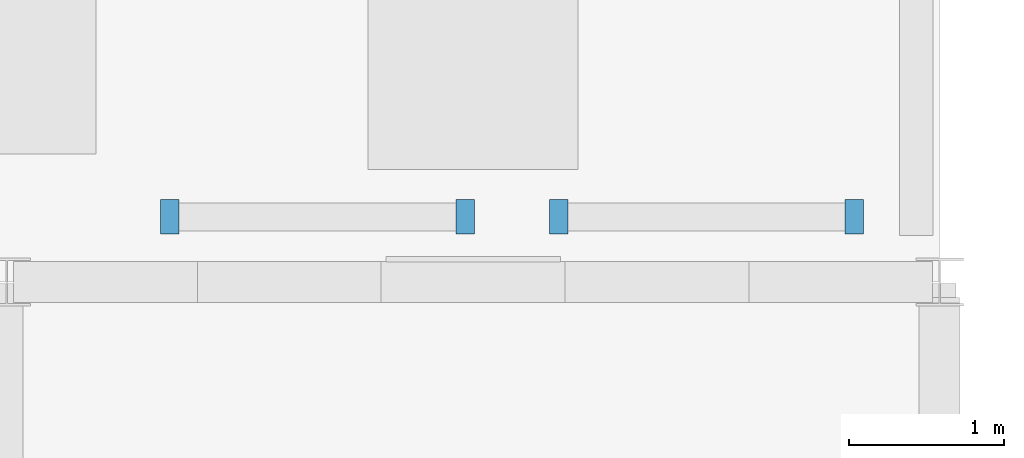
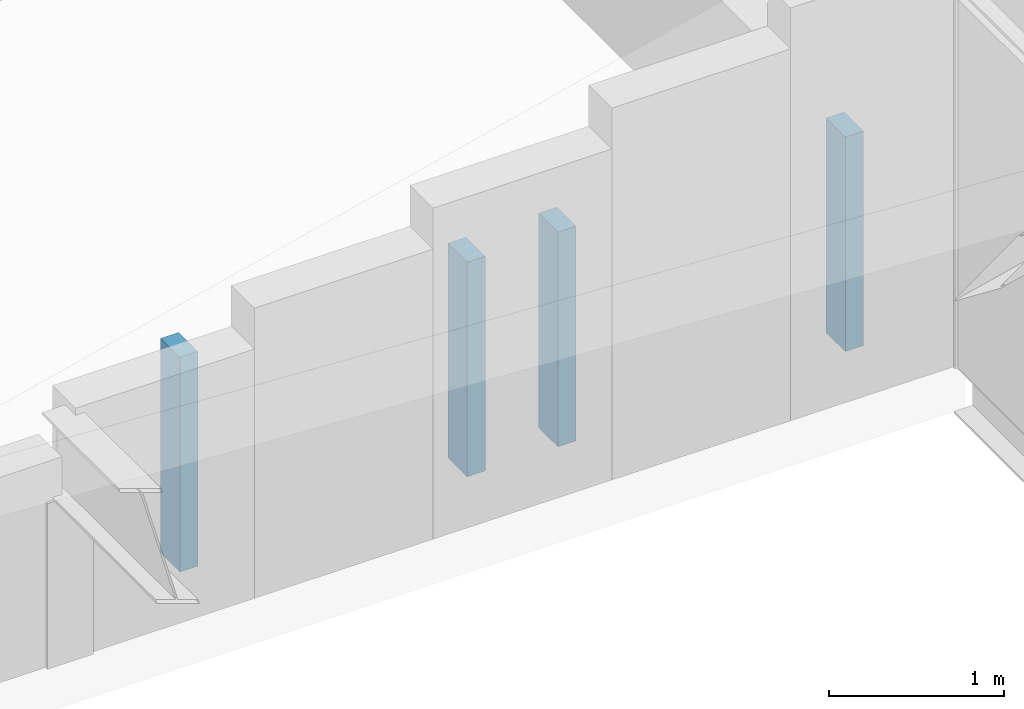
# One storey, part 69 of 74: 4 discrete accessories.
"""IFC4 building model written with IfcOpenShell, lengths in metres."""

from ifc_helpers import new_model, si_unit, direction, frame, origin, origin_2d, place, context, subcontext, project, spatial, rectangle, extrude, material, type_object, element, save


model = new_model("IFC4")

# Units and contexts
model_context = context("Model", 3, precision=1e-05, world=origin(), true_north=direction((0.0, 1.0)))
body_context = subcontext(model_context, "Body", "Model", "MODEL_VIEW")
ifc_project = project(units=[si_unit("LENGTHUNIT", "METRE"), si_unit("AREAUNIT", "SQUARE_METRE"), si_unit("VOLUMEUNIT", "CUBIC_METRE"), si_unit("PLANEANGLEUNIT", "RADIAN"), si_unit("MASSUNIT", "GRAM", prefix="KILO")], contexts=[model_context])

# Site, building, storey
site_placement = place(None, origin())
site = spatial("IfcSite", under=ifc_project, at=site_placement, CompositionType="ELEMENT")
building_placement = place(site_placement, origin())
building = spatial("IfcBuilding", under=site, at=building_placement, Name="Siltcreek Boulevard Central Fire Station", CompositionType="ELEMENT")
storey_placement = place(building_placement, frame((0.0, 0.0, 25.199951171875)))
storey = spatial("IfcBuildingStorey", under=building, at=storey_placement, Name="RF", CompositionType="ELEMENT", Elevation=25.199951171875)

# Discrete accessories
ifc_material = material(Name="Hot-dip galvanized steel facade outrigger bracket", Category="steel")
discrete_accessory_type = type_object("IfcDiscreteAccessoryType", Name="ACC_BRACKET", PredefinedType="BRACKET", material=ifc_material)
for number, where, z_axis, x_axis, name in (
    (1, (151.75, 106.6201171875, -3.599853515625), (0.0, 0.0, 1.0), (1.0, 0.0, 0.0), "Rooftop louvre frame support post V5.1.1"),
    (2, (153.64990234375, 106.6201171875, -3.599853515625), (0.0, 0.0, 1.0), (1.0, 0.0, 0.0), "Rooftop louvre frame support post V5.1.2"),
    (3, (149.25, 106.6201171875, -3.599853515625), (0.0, 0.0, 1.0), (1.0, 0.0, 0.0), "Rooftop louvre frame support post V5.2.1"),
    (4, (151.14990234375, 106.6201171875, -3.599853515625), (0.0, 0.0, 1.0), (1.0, 0.0, 0.0), "Rooftop louvre frame support post V5.2.2"),
):
    element("IfcDiscreteAccessory", number, at=place(storey_placement, frame(where, z_axis=z_axis, x_axis=x_axis)), inside=storey, type_object=discrete_accessory_type, Name=name, PredefinedType="BRACKET", context=body_context, shape_type="SweptSolid", body=[
        extrude(rectangle(XDim=0.1201171875, YDim=0.219970703125, at=origin_2d()), origin(), (0.0, 0.0, 1.0), 1.5),
    ])

save(model, "model.ifc")
